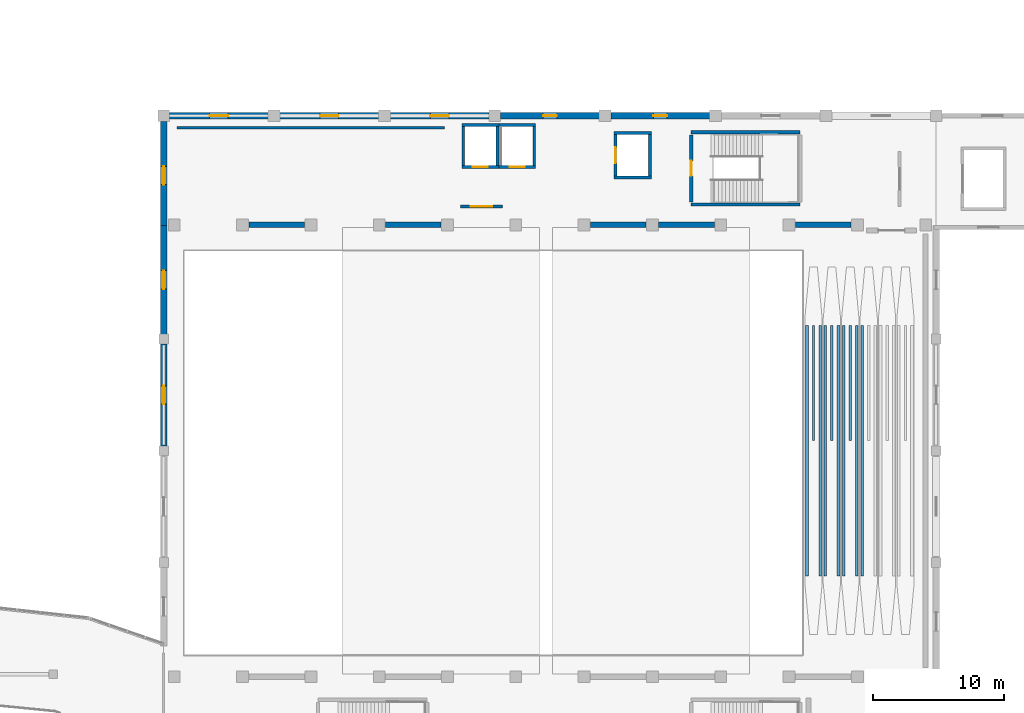
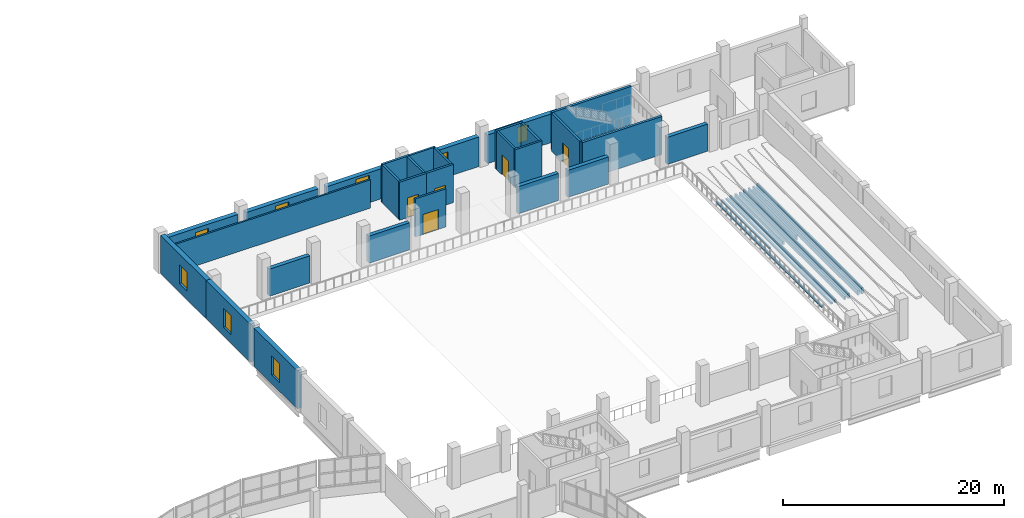
# One storey, part 38 of 50: 39 walls, 8 windows, 5 doors, 13 openings.
"""IFC4 building model written with IfcOpenShell, lengths in metres."""

from ifc_helpers import new_model, si_unit, direction, frame, frame_2d, origin, place, context, subcontext, project, spatial, rectangle, extrude, material, layer, layer_set, type_object, element, fill, save


model = new_model("IFC4")

# Units and contexts
model_context = context("Model", 3, precision=1e-05, world=origin(), true_north=direction((0.0, 1.0)))
body_context = subcontext(model_context, "Body", "Model", "MODEL_VIEW")
ifc_project = project(units=[si_unit("LENGTHUNIT", "METRE"), si_unit("AREAUNIT", "SQUARE_METRE"), si_unit("VOLUMEUNIT", "CUBIC_METRE"), si_unit("PLANEANGLEUNIT", "RADIAN"), si_unit("MASSUNIT", "GRAM", prefix="KILO")], contexts=[model_context])

# Site, building, storey
site_placement = place(None, origin())
site = spatial("IfcSite", under=ifc_project, at=site_placement, CompositionType="ELEMENT")
building_placement = place(site_placement, origin())
building = spatial("IfcBuilding", under=site, at=building_placement, Name="Solvento Point Concert Hall", CompositionType="ELEMENT")
storey_placement = place(building_placement, frame((0.0, 0.0, 15.0)))
storey = spatial("IfcBuildingStorey", under=building, at=storey_placement, Name="L03", CompositionType="ELEMENT", Elevation=15.0)

# Wall
ifc_material_1 = material(Name="Acoustic Double-Stud Gypsum Partition")
ifc_layer_1 = layer(ifc_material_1, 0.179931640625)
ifc_layer_set_1 = layer_set([ifc_layer_1], Name="Acoustic Double-Stud Gypsum Partition")
wall_type_1 = type_object("IfcWallType", Name="AcousticPartition_180", PredefinedType="PARTITIONING", material=ifc_layer_set_1)
wall_1_placement = place(storey_placement, frame((75.419921875, 92.580078125, 0.0), z_axis=(0.0, 0.0, 1.0), x_axis=(1.0, 0.0, 0.0)))
element("IfcWall", 1, at=wall_1_placement, inside=storey, type_object=wall_type_1, Name="Interior acoustic partition PW-63 L03", PredefinedType="PARTITIONING", context=body_context, shape_type="SweptSolid", body=[
    extrude(rectangle(XDim=20.360107421875, YDim=0.179931640625, at=frame_2d((10.18017578125, 0.0))), origin(), (0.0, 0.0, 1.0), 3.1298828125),
])

# Wall, opening, door
ifc_material_2 = material(Name="Acoustic Double-Stud Gypsum Partition")
ifc_layer_2 = layer(ifc_material_2, 0.2080078125)
ifc_layer_set_2 = layer_set([ifc_layer_2], Name="Acoustic Double-Stud Gypsum Partition")
wall_type_2 = type_object("IfcWallType", Name="AcousticPartition_208", PredefinedType="PARTITIONING", material=ifc_layer_set_2)
wall_2_placement = place(storey_placement, frame((97.0, 86.60009765625, 0.0), z_axis=(0.0, 0.0, 1.0), x_axis=(1.0, 0.0, 0.0)))
wall_2 = element("IfcWall", 2, at=wall_2_placement, inside=storey, type_object=wall_type_2, Name="Lift lobby partition LP-01 L03", PredefinedType="PARTITIONING", context=body_context, shape_type="SweptSolid", body=[
    extrude(rectangle(XDim=3.199951171875, YDim=0.2080078125, at=frame_2d((1.60009765625, 0.0))), origin(), (0.0, 0.0, 1.0), 4.2099609375),
])
opening_1_placement = place(wall_2_placement, frame((0.77490234375, 0.0, 0.0)))
opening_1 = element("IfcOpeningElement", 3, at=opening_1_placement, cuts=wall_2, Name="Opening D-FL1", PredefinedType="OPENING", context=body_context, shape_type="SweptSolid", body=[
    extrude(rectangle(XDim=1.64990234375, YDim=2.199951171875, at=frame_2d((0.824951171875, 1.10009765625))), frame((0.0, 0.114013671875, 0.0), z_axis=(0.0, -1.0, 0.0), x_axis=(1.0, 0.0, 0.0)), (0.0, 0.0, 1.0), 0.22802734375),
])
ifc_material_3 = material(Name="Hollow Metal Acoustic Fire Door")
door_type_1 = type_object("IfcDoorType", Name="FireLobbyDoor_1600", OperationType="DOUBLE_DOOR_SINGLE_SWING", PredefinedType="DOOR", material=ifc_material_3)
door_1_placement = place(opening_1_placement, origin())
door_1 = element("IfcDoor", 4, at=door_1_placement, inside=storey, type_object=door_type_1, Name="Lift lobby door LP-01 L03", OperationType="DOUBLE_DOOR_SINGLE_SWING", OverallHeight=2.199951171875, OverallWidth=1.64990234375, PredefinedType="DOOR", context=body_context, shape_type="SweptSolid", body=[
    extrude(rectangle(XDim=1.64990234375, YDim=2.199951171875, at=frame_2d((0.824951171875, 1.10009765625))), frame((0.0, 0.02490234375, 0.0), z_axis=(0.0, -1.0, 0.0), x_axis=(1.0, 0.0, 0.0)), (0.0, 0.0, 1.0), 0.050048828125),
])
fill(opening_1, door_1)

# Walls
ifc_material_4 = material(Name="Concrete C40/50", Category="concrete")
ifc_layer_3 = layer(ifc_material_4, 0.300048828125)
ifc_layer_set_3 = layer_set([ifc_layer_3], Name="Concrete C40/50")
wall_type_3 = type_object("IfcWallType", Name="CoreShearWall_300", PredefinedType="SHEAR", material=ifc_layer_set_3)
for number, where, z_axis, x_axis, name in (
    (5, (122.85009765625, 86.75, 0.0), (0.0, 0.0, 1.0), (-1.0, 0.0, 0.0), "Stair core shear wall W-SH1 ST-03 L03"),
    (6, (114.550048828125, 92.25, 0.0), (0.0, 0.0, 1.0), (1.0, 0.0, 0.0), "Stair core shear wall W-SH1 ST-03 L03"),
):
    element("IfcWall", number, at=place(storey_placement, frame(where, z_axis=z_axis, x_axis=x_axis)), inside=storey, type_object=wall_type_3, Name=name, PredefinedType="SHEAR", context=body_context, shape_type="SweptSolid", body=[
        extrude(rectangle(XDim=8.300048828125, YDim=0.25, at=frame_2d((4.14990234375, 0.0))), origin(), (0.0, 0.0, 1.0), 4.2099609375),
    ])

# Wall, opening, door
wall_3_placement = place(storey_placement, frame((114.550048828125, 86.949951171875, 0.0), z_axis=(0.0, 0.0, 1.0), x_axis=(0.0, 1.0, 0.0)))
wall_3 = element("IfcWall", 7, at=wall_3_placement, inside=storey, type_object=wall_type_3, Name="Stair core shear wall W-SH1 ST-03 L03", PredefinedType="SHEAR", context=body_context, shape_type="SweptSolid", body=[
    extrude(rectangle(XDim=5.10009765625, YDim=0.25, at=frame_2d((2.550048828125, 0.0))), origin(), (0.0, 0.0, 1.0), 4.2099609375),
])
opening_2_placement = place(wall_3_placement, frame((1.97509765625, 0.0, 0.0)))
opening_2 = element("IfcOpeningElement", 8, at=opening_2_placement, cuts=wall_3, Name="Opening D-ST1", PredefinedType="OPENING", context=body_context, shape_type="SweptSolid", body=[
    extrude(rectangle(XDim=1.14990234375, YDim=2.179931640625, at=frame_2d((0.574951171875, 1.08984375))), frame((0.0, 0.135009765625, 0.0), z_axis=(0.0, -1.0, 0.0), x_axis=(1.0, 0.0, 0.0)), (0.0, 0.0, 1.0), 0.27001953125),
])
ifc_material_5 = material(Name="Hollow Metal Acoustic Fire Door")
door_type_2 = type_object("IfcDoorType", Name="StairFireDoor_1150", OperationType="NOTDEFINED", PredefinedType="DOOR", material=ifc_material_5)
door_2_placement = place(opening_2_placement, origin())
door_2 = element("IfcDoor", 9, at=door_2_placement, inside=storey, type_object=door_type_2, Name="Protected exit stair door ST-03 L03", OperationType="SINGLE_SWING_LEFT", OverallHeight=2.179931640625, OverallWidth=1.14990234375, PredefinedType="DOOR", context=body_context, shape_type="SweptSolid", body=[
    extrude(rectangle(XDim=1.14990234375, YDim=2.179931640625, at=frame_2d((0.574951171875, 1.08984375))), frame((0.0, 0.02490234375, 0.0), z_axis=(0.0, -1.0, 0.0), x_axis=(1.0, 0.0, 0.0)), (0.0, 0.0, 1.0), 0.050048828125),
])
fill(opening_2, door_2)

# Walls
for number, where, z_axis, x_axis, name in (
    (10, (108.68994140625, 88.800048828125, 0.0), (0.0, 0.0, 1.0), (1.0, 0.0, 0.0), "Elevator shaft shear wall W-SH1 LF-02 L03"),
    (11, (108.68994140625, 92.199951171875, 0.0), (0.0, 0.0, 1.0), (1.0, 0.0, 0.0), "Elevator shaft shear wall W-SH1 LF-02 L03"),
):
    element("IfcWall", number, at=place(storey_placement, frame(where, z_axis=z_axis, x_axis=x_axis)), inside=storey, type_object=wall_type_3, Name=name, PredefinedType="SHEAR", context=body_context, shape_type="SweptSolid", body=[
        extrude(rectangle(XDim=2.820068359375, YDim=0.219970703125, at=frame_2d((1.41015625, 0.0))), origin(), (0.0, 0.0, 1.0), 4.2099609375),
    ])

# Wall, opening, door
wall_4_placement = place(storey_placement, frame((108.800048828125, 88.909912109375, 0.0), z_axis=(0.0, 0.0, 1.0), x_axis=(0.0, 1.0, 0.0)))
wall_4 = element("IfcWall", 12, at=wall_4_placement, inside=storey, type_object=wall_type_3, Name="Elevator shaft shear wall W-SH1 LF-02 L03", PredefinedType="SHEAR", context=body_context, shape_type="SweptSolid", body=[
    extrude(rectangle(XDim=3.18017578125, YDim=0.219970703125, at=frame_2d((1.590087890625, 0.0))), origin(), (0.0, 0.0, 1.0), 4.2099609375),
])
opening_3_placement = place(wall_4_placement, frame((0.989990234375, 0.0, 0.0)))
opening_3 = element("IfcOpeningElement", 13, at=opening_3_placement, cuts=wall_4, Name="Opening LD-01", PredefinedType="OPENING", context=body_context, shape_type="SweptSolid", body=[
    extrude(rectangle(XDim=1.199951171875, YDim=2.25, at=frame_2d((0.60009765625, 1.125))), frame((0.0, 0.119873046875, 0.0), z_axis=(0.0, -1.0, 0.0), x_axis=(1.0, 0.0, 0.0)), (0.0, 0.0, 1.0), 0.239990234375),
])
ifc_material_6 = material(Name="Hollow Metal Acoustic Fire Door")
door_type_3 = type_object("IfcDoorType", Name="LiftLandingDoor_FF", OperationType="SLIDING_TO_LEFT", PredefinedType="DOOR", material=ifc_material_6)
door_3_placement = place(opening_3_placement, origin())
door_3 = element("IfcDoor", 14, at=door_3_placement, inside=storey, type_object=door_type_3, Name="Elevator landing door LF-02 L03", OperationType="SLIDING_TO_LEFT", OverallHeight=2.25, OverallWidth=1.199951171875, PredefinedType="DOOR", context=body_context, shape_type="SweptSolid", body=[
    extrude(rectangle(XDim=1.199951171875, YDim=2.25, at=frame_2d((0.60009765625, 1.125))), frame((0.0, 0.02490234375, 0.0), z_axis=(0.0, -1.0, 0.0), x_axis=(1.0, 0.0, 0.0)), (0.0, 0.0, 1.0), 0.050048828125),
])
fill(opening_3, door_3)

# Wall
wall_5_placement = place(storey_placement, frame((111.39990234375, 88.909912109375, 0.0), z_axis=(0.0, 0.0, 1.0), x_axis=(0.0, 1.0, 0.0)))
element("IfcWall", 15, at=wall_5_placement, inside=storey, type_object=wall_type_3, Name="Elevator shaft shear wall W-SH1 LF-02 L03", PredefinedType="SHEAR", context=body_context, shape_type="SweptSolid", body=[
    extrude(rectangle(XDim=3.18017578125, YDim=0.219970703125, at=frame_2d((1.590087890625, 0.0))), origin(), (0.0, 0.0, 1.0), 4.2099609375),
])

# Wall, opening, door
wall_6_placement = place(storey_placement, frame((97.090087890625, 89.60009765625, 0.0), z_axis=(0.0, 0.0, 1.0), x_axis=(1.0, 0.0, 0.0)))
wall_6 = element("IfcWall", 16, at=wall_6_placement, inside=storey, type_object=wall_type_3, Name="Elevator shaft shear wall W-SH1 LP-01 L03", PredefinedType="SHEAR", context=body_context, shape_type="SweptSolid", body=[
    extrude(rectangle(XDim=2.81982421875, YDim=0.219970703125, at=frame_2d((1.409912109375, 0.0))), origin(), (0.0, 0.0, 1.0), 4.2099609375),
])
opening_4_placement = place(wall_6_placement, frame((0.8349609375, 0.0, 0.0)))
opening_4 = element("IfcOpeningElement", 17, at=opening_4_placement, cuts=wall_6, Name="Opening LD-02", PredefinedType="OPENING", context=body_context, shape_type="SweptSolid", body=[
    extrude(rectangle(XDim=1.14990234375, YDim=2.199951171875, at=frame_2d((0.574951171875, 1.10009765625))), frame((0.0, 0.119873046875, 0.0), z_axis=(0.0, -1.0, 0.0), x_axis=(1.0, 0.0, 0.0)), (0.0, 0.0, 1.0), 0.239990234375),
])
ifc_material_7 = material(Name="Hollow Metal Acoustic Fire Door")
door_type_4 = type_object("IfcDoorType", Name="LiftLandingDoor_Pass", OperationType="SLIDING_TO_LEFT", PredefinedType="DOOR", material=ifc_material_7)
door_4_placement = place(opening_4_placement, origin())
door_4 = element("IfcDoor", 18, at=door_4_placement, inside=storey, type_object=door_type_4, Name="Elevator landing door LP-01 L03", OperationType="SLIDING_TO_LEFT", OverallHeight=2.199951171875, OverallWidth=1.14990234375, PredefinedType="DOOR", context=body_context, shape_type="SweptSolid", body=[
    extrude(rectangle(XDim=1.14990234375, YDim=2.199951171875, at=frame_2d((0.574951171875, 1.10009765625))), frame((0.0, 0.02490234375, 0.0), z_axis=(0.0, -1.0, 0.0), x_axis=(1.0, 0.0, 0.0)), (0.0, 0.0, 1.0), 0.050048828125),
])
fill(opening_4, door_4)

# Walls
wall_7_placement = place(storey_placement, frame((97.090087890625, 92.800048828125, 0.0), z_axis=(0.0, 0.0, 1.0), x_axis=(1.0, 0.0, 0.0)))
element("IfcWall", 19, at=wall_7_placement, inside=storey, type_object=wall_type_3, Name="Elevator shaft shear wall W-SH1 LP-01 L03", PredefinedType="SHEAR", context=body_context, shape_type="SweptSolid", body=[
    extrude(rectangle(XDim=2.81982421875, YDim=0.219970703125, at=frame_2d((1.409912109375, 0.0))), origin(), (0.0, 0.0, 1.0), 4.2099609375),
])
for number, where, z_axis, x_axis, name in (
    (20, (97.199951171875, 89.7099609375, 0.0), (0.0, 0.0, 1.0), (0.0, 1.0, 0.0), "Elevator shaft shear wall W-SH1 LP-01 L03"),
    (21, (99.800048828125, 89.7099609375, 0.0), (0.0, 0.0, 1.0), (0.0, 1.0, 0.0), "Elevator shaft shear wall W-SH1 LP-01 L03"),
):
    element("IfcWall", number, at=place(storey_placement, frame(where, z_axis=z_axis, x_axis=x_axis)), inside=storey, type_object=wall_type_3, Name=name, PredefinedType="SHEAR", context=body_context, shape_type="SweptSolid", body=[
        extrude(rectangle(XDim=2.97998046875, YDim=0.219970703125, at=frame_2d((1.489990234375, 0.0))), origin(), (0.0, 0.0, 1.0), 4.2099609375),
    ])

# Wall, opening, door
wall_8_placement = place(storey_placement, frame((99.909912109375, 89.60009765625, 0.0), z_axis=(0.0, 0.0, 1.0), x_axis=(1.0, 0.0, 0.0)))
wall_8 = element("IfcWall", 22, at=wall_8_placement, inside=storey, type_object=wall_type_3, Name="Elevator shaft shear wall W-SH1 LP-02 L03", PredefinedType="SHEAR", context=body_context, shape_type="SweptSolid", body=[
    extrude(rectangle(XDim=2.800048828125, YDim=0.219970703125, at=frame_2d((1.39990234375, 0.0))), origin(), (0.0, 0.0, 1.0), 4.2099609375),
])
opening_5_placement = place(wall_8_placement, frame((0.81494140625, 0.0, 0.0)))
opening_5 = element("IfcOpeningElement", 23, at=opening_5_placement, cuts=wall_8, Name="Opening LD-02", PredefinedType="OPENING", context=body_context, shape_type="SweptSolid", body=[
    extrude(rectangle(XDim=1.14990234375, YDim=2.199951171875, at=frame_2d((0.574951171875, 1.10009765625))), frame((0.0, 0.119873046875, 0.0), z_axis=(0.0, -1.0, 0.0), x_axis=(1.0, 0.0, 0.0)), (0.0, 0.0, 1.0), 0.239990234375),
])
door_5_placement = place(opening_5_placement, origin())
door_5 = element("IfcDoor", 24, at=door_5_placement, inside=storey, type_object=door_type_4, Name="Elevator landing door LP-02 L03", OperationType="SLIDING_TO_LEFT", OverallHeight=2.199951171875, OverallWidth=1.14990234375, PredefinedType="DOOR", context=body_context, shape_type="SweptSolid", body=[
    extrude(rectangle(XDim=1.14990234375, YDim=2.199951171875, at=frame_2d((0.574951171875, 1.10009765625))), frame((0.0, 0.02490234375, 0.0), z_axis=(0.0, -1.0, 0.0), x_axis=(1.0, 0.0, 0.0)), (0.0, 0.0, 1.0), 0.050048828125),
])
fill(opening_5, door_5)

# Walls
wall_9_placement = place(storey_placement, frame((99.909912109375, 92.800048828125, 0.0), z_axis=(0.0, 0.0, 1.0), x_axis=(1.0, 0.0, 0.0)))
element("IfcWall", 25, at=wall_9_placement, inside=storey, type_object=wall_type_3, Name="Elevator shaft shear wall W-SH1 LP-02 L03", PredefinedType="SHEAR", context=body_context, shape_type="SweptSolid", body=[
    extrude(rectangle(XDim=2.800048828125, YDim=0.219970703125, at=frame_2d((1.39990234375, 0.0))), origin(), (0.0, 0.0, 1.0), 4.2099609375),
])
wall_10_placement = place(storey_placement, frame((102.60009765625, 89.7099609375, 0.0), z_axis=(0.0, 0.0, 1.0), x_axis=(0.0, 1.0, 0.0)))
element("IfcWall", 26, at=wall_10_placement, inside=storey, type_object=wall_type_3, Name="Elevator shaft shear wall W-SH1 LP-02 L03", PredefinedType="SHEAR", context=body_context, shape_type="SweptSolid", body=[
    extrude(rectangle(XDim=2.97998046875, YDim=0.219970703125, at=frame_2d((1.489990234375, 0.0))), origin(), (0.0, 0.0, 1.0), 4.2099609375),
])
ifc_material_8 = material(Name="Concrete C40/50", Category="concrete")
ifc_layer_4 = layer(ifc_material_8, 0.39990234375)
ifc_layer_set_4 = layer_set([ifc_layer_4], Name="Concrete C40/50")
wall_type_4 = type_object("IfcWallType", Name="DrumShearWall_400", PredefinedType="SHEAR", material=ifc_layer_set_4)
wall_11_placement = place(storey_placement, frame((80.8798828125, 85.199951171875, 0.0), z_axis=(0.0, 0.0, 1.0), x_axis=(1.0, 0.0, 0.0)))
element("IfcWall", 27, at=wall_11_placement, inside=storey, type_object=wall_type_4, Name="Symphonic acoustic drum shear wall W-DR1 L03", PredefinedType="SHEAR", context=body_context, shape_type="SweptSolid", body=[
    extrude(rectangle(XDim=4.240234375, YDim=0.39990234375, at=frame_2d((2.1201171875, 0.0))), origin(), (0.0, 0.0, 1.0), 3.0),
])
wall_12_placement = place(storey_placement, frame((91.280029296875, 85.199951171875, 0.0), z_axis=(0.0, 0.0, 1.0), x_axis=(1.0, 0.0, 0.0)))
element("IfcWall", 28, at=wall_12_placement, inside=storey, type_object=wall_type_4, Name="Symphonic acoustic drum shear wall W-DR1 L03", PredefinedType="SHEAR", context=body_context, shape_type="SweptSolid", body=[
    extrude(rectangle(XDim=4.239990234375, YDim=0.39990234375, at=frame_2d((2.1201171875, 0.0))), origin(), (0.0, 0.0, 1.0), 3.0),
])
wall_13_placement = place(storey_placement, frame((106.8798828125, 85.199951171875, 0.0), z_axis=(0.0, 0.0, 1.0), x_axis=(1.0, 0.0, 0.0)))
element("IfcWall", 29, at=wall_13_placement, inside=storey, type_object=wall_type_4, Name="Symphonic acoustic drum shear wall W-DR1 L03", PredefinedType="SHEAR", context=body_context, shape_type="SweptSolid", body=[
    extrude(rectangle(XDim=4.240234375, YDim=0.39990234375, at=frame_2d((2.1201171875, 0.0))), origin(), (0.0, 0.0, 1.0), 3.0),
])
for number, where, z_axis, x_axis, name in (
    (30, (112.080078125, 85.199951171875, 0.0), (0.0, 0.0, 1.0), (1.0, 0.0, 0.0), "Symphonic acoustic drum shear wall W-DR1 L03"),
    (31, (122.47998046875, 85.199951171875, 0.0), (0.0, 0.0, 1.0), (1.0, 0.0, 0.0), "Symphonic acoustic drum shear wall W-DR1 L03"),
):
    element("IfcWall", number, at=place(storey_placement, frame(where, z_axis=z_axis, x_axis=x_axis)), inside=storey, type_object=wall_type_4, Name=name, PredefinedType="SHEAR", context=body_context, shape_type="SweptSolid", body=[
        extrude(rectangle(XDim=4.239990234375, YDim=0.39990234375, at=frame_2d((2.1201171875, 0.0))), origin(), (0.0, 0.0, 1.0), 3.0),
    ])

# Wall, opening, window
ifc_material_9 = material(Name="Concrete C40/50", Category="concrete")
ifc_layer_5 = layer(ifc_material_9, 0.47998046875)
ifc_layer_set_5 = layer_set([ifc_layer_5], Name="Concrete C40/50")
wall_type_5 = type_object("IfcWallType", Name="ExtWall_V1_Drum_480", PredefinedType="SOLIDWALL", material=ifc_layer_set_5)
wall_14_placement = place(storey_placement, frame((74.39990234375, 68.35498046875, 0.0), z_axis=(0.0, 0.0, 1.0), x_axis=(0.0, 1.0, 0.0)))
wall_14 = element("IfcWall", 32, at=wall_14_placement, inside=storey, type_object=wall_type_5, Name="Exterior architectural concrete wall EW-46 L03", PredefinedType="SOLIDWALL", context=body_context, shape_type="SweptSolid", body=[
    extrude(rectangle(XDim=7.7900390625, YDim=0.47998046875, at=frame_2d((3.89501953125, 0.0))), origin(), (0.0, 0.0, 1.0), 4.2099609375),
])
opening_6_placement = place(wall_14_placement, frame((3.195068359375, 0.0, 0.949951171875)))
opening_6 = element("IfcOpeningElement", 33, at=opening_6_placement, cuts=wall_14, Name="Opening WN-52", PredefinedType="OPENING", context=body_context, shape_type="SweptSolid", body=[
    extrude(rectangle(XDim=1.39990234375, YDim=2.10009765625, at=frame_2d((0.699951171875, 1.050048828125))), frame((0.0, 0.25, 0.0), z_axis=(0.0, -1.0, 0.0), x_axis=(1.0, 0.0, 0.0)), (0.0, 0.0, 1.0), 0.5),
])
ifc_material_10 = material(Name="Hurricane Laminated Low-E Glass", Category="glass")
window_type_1 = type_object("IfcWindowType", Name="Win_V1_VineyardSlot_L03", PartitioningType="SINGLE_PANEL", PredefinedType="WINDOW", material=ifc_material_10)
window_1_placement = place(opening_6_placement, origin())
window_1 = element("IfcWindow", 34, at=window_1_placement, inside=storey, type_object=window_type_1, Name="Impact acoustic window WN-52", OverallHeight=2.10009765625, OverallWidth=1.39990234375, PartitioningType="SINGLE_PANEL", PredefinedType="WINDOW", context=body_context, shape_type="SweptSolid", body=[
    extrude(rectangle(XDim=1.39990234375, YDim=2.10009765625, at=frame_2d((0.699951171875, 1.050048828125))), frame((0.0, 0.030029296875, 0.0), z_axis=(0.0, -1.0, 0.0), x_axis=(1.0, 0.0, 0.0)), (0.0, 0.0, 1.0), 0.06005859375),
])
fill(opening_6, window_1)

wall_15_placement = place(storey_placement, frame((74.39990234375, 76.85498046875, 0.0), z_axis=(0.0, 0.0, 1.0), x_axis=(0.0, 1.0, 0.0)))
wall_15 = element("IfcWall", 35, at=wall_15_placement, inside=storey, type_object=wall_type_5, Name="Exterior architectural concrete wall EW-46 L03", PredefinedType="SOLIDWALL", context=body_context, shape_type="SweptSolid", body=[
    extrude(rectangle(XDim=8.304931640625, YDim=0.47998046875, at=frame_2d((4.15234375, 0.0))), origin(), (0.0, 0.0, 1.0), 4.2099609375),
])
opening_7_placement = place(wall_15_placement, frame((3.452392578125, 0.0, 0.949951171875)))
opening_7 = element("IfcOpeningElement", 36, at=opening_7_placement, cuts=wall_15, Name="Opening WN-52", PredefinedType="OPENING", context=body_context, shape_type="SweptSolid", body=[
    extrude(rectangle(XDim=1.39990234375, YDim=2.10009765625, at=frame_2d((0.699951171875, 1.050048828125))), frame((0.0, 0.25, 0.0), z_axis=(0.0, -1.0, 0.0), x_axis=(1.0, 0.0, 0.0)), (0.0, 0.0, 1.0), 0.5),
])
window_2_placement = place(opening_7_placement, origin())
window_2 = element("IfcWindow", 37, at=window_2_placement, inside=storey, type_object=window_type_1, Name="Impact acoustic window WN-52", OverallHeight=2.10009765625, OverallWidth=1.39990234375, PartitioningType="SINGLE_PANEL", PredefinedType="WINDOW", context=body_context, shape_type="SweptSolid", body=[
    extrude(rectangle(XDim=1.39990234375, YDim=2.10009765625, at=frame_2d((0.699951171875, 1.050048828125))), frame((0.0, 0.030029296875, 0.0), z_axis=(0.0, -1.0, 0.0), x_axis=(1.0, 0.0, 0.0)), (0.0, 0.0, 1.0), 0.06005859375),
])
fill(opening_7, window_2)

wall_16_placement = place(storey_placement, frame((74.39990234375, 84.840087890625, 0.0), z_axis=(0.0, 0.0, 1.0), x_axis=(0.0, 1.0, 0.0)))
wall_16 = element("IfcWall", 38, at=wall_16_placement, inside=storey, type_object=wall_type_5, Name="Exterior architectural concrete wall EW-46 L03", PredefinedType="SOLIDWALL", context=body_context, shape_type="SweptSolid", body=[
    extrude(rectangle(XDim=8.22998046875, YDim=0.47998046875, at=frame_2d((4.114990234375, 0.0))), origin(), (0.0, 0.0, 1.0), 4.2099609375),
])
opening_8_placement = place(wall_16_placement, frame((3.4150390625, 0.0, 0.949951171875)))
opening_8 = element("IfcOpeningElement", 39, at=opening_8_placement, cuts=wall_16, Name="Opening WN-52", PredefinedType="OPENING", context=body_context, shape_type="SweptSolid", body=[
    extrude(rectangle(XDim=1.39990234375, YDim=2.10009765625, at=frame_2d((0.699951171875, 1.050048828125))), frame((0.0, 0.25, 0.0), z_axis=(0.0, -1.0, 0.0), x_axis=(1.0, 0.0, 0.0)), (0.0, 0.0, 1.0), 0.5),
])
window_3_placement = place(opening_8_placement, origin())
window_3 = element("IfcWindow", 40, at=window_3_placement, inside=storey, type_object=window_type_1, Name="Impact acoustic window WN-52", OverallHeight=2.10009765625, OverallWidth=1.39990234375, PartitioningType="SINGLE_PANEL", PredefinedType="WINDOW", context=body_context, shape_type="SweptSolid", body=[
    extrude(rectangle(XDim=1.39990234375, YDim=2.10009765625, at=frame_2d((0.699951171875, 1.050048828125))), frame((0.0, 0.030029296875, 0.0), z_axis=(0.0, -1.0, 0.0), x_axis=(1.0, 0.0, 0.0)), (0.0, 0.0, 1.0), 0.06005859375),
])
fill(opening_8, window_3)

wall_17_placement = place(storey_placement, frame((74.830078125, 93.5, 0.0), z_axis=(0.0, 0.0, 1.0), x_axis=(1.0, 0.0, 0.0)))
wall_17 = element("IfcWall", 41, at=wall_17_placement, inside=storey, type_object=wall_type_5, Name="Exterior architectural concrete wall EW-46 L03", PredefinedType="SOLIDWALL", context=body_context, shape_type="SweptSolid", body=[
    extrude(rectangle(XDim=7.5400390625, YDim=0.47998046875, at=frame_2d((3.77001953125, 0.0))), origin(), (0.0, 0.0, 1.0), 3.531005859375),
])
opening_9_placement = place(wall_17_placement, frame((3.070068359375, 0.0, 0.949951171875)))
opening_9 = element("IfcOpeningElement", 42, at=opening_9_placement, cuts=wall_17, Name="Opening WN-52", PredefinedType="OPENING", context=body_context, shape_type="SweptSolid", body=[
    extrude(rectangle(XDim=1.39990234375, YDim=2.10009765625, at=frame_2d((0.699951171875, 1.050048828125))), frame((0.0, 0.25, 0.0), z_axis=(0.0, -1.0, 0.0), x_axis=(1.0, 0.0, 0.0)), (0.0, 0.0, 1.0), 0.5),
])
window_4_placement = place(opening_9_placement, origin())
window_4 = element("IfcWindow", 43, at=window_4_placement, inside=storey, type_object=window_type_1, Name="Impact acoustic window WN-52", OverallHeight=2.10009765625, OverallWidth=1.39990234375, PartitioningType="SINGLE_PANEL", PredefinedType="WINDOW", context=body_context, shape_type="SweptSolid", body=[
    extrude(rectangle(XDim=1.39990234375, YDim=2.10009765625, at=frame_2d((0.699951171875, 1.050048828125))), frame((0.0, 0.030029296875, 0.0), z_axis=(0.0, -1.0, 0.0), x_axis=(1.0, 0.0, 0.0)), (0.0, 0.0, 1.0), 0.06005859375),
])
fill(opening_9, window_4)

wall_18_placement = place(storey_placement, frame((83.22998046875, 93.5, 0.0), z_axis=(0.0, 0.0, 1.0), x_axis=(1.0, 0.0, 0.0)))
wall_18 = element("IfcWall", 44, at=wall_18_placement, inside=storey, type_object=wall_type_5, Name="Exterior architectural concrete wall EW-46 L03", PredefinedType="SOLIDWALL", context=body_context, shape_type="SweptSolid", body=[
    extrude(rectangle(XDim=7.5400390625, YDim=0.47998046875, at=frame_2d((3.77001953125, 0.0))), origin(), (0.0, 0.0, 1.0), 3.424072265625),
])
opening_10_placement = place(wall_18_placement, frame((3.070068359375, 0.0, 0.949951171875)))
opening_10 = element("IfcOpeningElement", 45, at=opening_10_placement, cuts=wall_18, Name="Opening WN-52", PredefinedType="OPENING", context=body_context, shape_type="SweptSolid", body=[
    extrude(rectangle(XDim=1.39990234375, YDim=2.10009765625, at=frame_2d((0.699951171875, 1.050048828125))), frame((0.0, 0.25, 0.0), z_axis=(0.0, -1.0, 0.0), x_axis=(1.0, 0.0, 0.0)), (0.0, 0.0, 1.0), 0.5),
])
window_5_placement = place(opening_10_placement, origin())
window_5 = element("IfcWindow", 46, at=window_5_placement, inside=storey, type_object=window_type_1, Name="Impact acoustic window WN-52", OverallHeight=2.10009765625, OverallWidth=1.39990234375, PartitioningType="SINGLE_PANEL", PredefinedType="WINDOW", context=body_context, shape_type="SweptSolid", body=[
    extrude(rectangle(XDim=1.39990234375, YDim=2.10009765625, at=frame_2d((0.699951171875, 1.050048828125))), frame((0.0, 0.030029296875, 0.0), z_axis=(0.0, -1.0, 0.0), x_axis=(1.0, 0.0, 0.0)), (0.0, 0.0, 1.0), 0.06005859375),
])
fill(opening_10, window_5)

wall_19_placement = place(storey_placement, frame((91.6298828125, 93.5, 0.0), z_axis=(0.0, 0.0, 1.0), x_axis=(1.0, 0.0, 0.0)))
wall_19 = element("IfcWall", 47, at=wall_19_placement, inside=storey, type_object=wall_type_5, Name="Exterior architectural concrete wall EW-46 L03", PredefinedType="SOLIDWALL", context=body_context, shape_type="SweptSolid", body=[
    extrude(rectangle(XDim=7.5400390625, YDim=0.47998046875, at=frame_2d((3.77001953125, 0.0))), origin(), (0.0, 0.0, 1.0), 3.3349609375),
])
opening_11_placement = place(wall_19_placement, frame((3.070068359375, 0.0, 0.949951171875)))
opening_11 = element("IfcOpeningElement", 48, at=opening_11_placement, cuts=wall_19, Name="Opening WN-52", PredefinedType="OPENING", context=body_context, shape_type="SweptSolid", body=[
    extrude(rectangle(XDim=1.39990234375, YDim=2.10009765625, at=frame_2d((0.699951171875, 1.050048828125))), frame((0.0, 0.25, 0.0), z_axis=(0.0, -1.0, 0.0), x_axis=(1.0, 0.0, 0.0)), (0.0, 0.0, 1.0), 0.5),
])
window_6_placement = place(opening_11_placement, origin())
window_6 = element("IfcWindow", 49, at=window_6_placement, inside=storey, type_object=window_type_1, Name="Impact acoustic window WN-52", OverallHeight=2.10009765625, OverallWidth=1.39990234375, PartitioningType="SINGLE_PANEL", PredefinedType="WINDOW", context=body_context, shape_type="SweptSolid", body=[
    extrude(rectangle(XDim=1.39990234375, YDim=2.10009765625, at=frame_2d((0.699951171875, 1.050048828125))), frame((0.0, 0.030029296875, 0.0), z_axis=(0.0, -1.0, 0.0), x_axis=(1.0, 0.0, 0.0)), (0.0, 0.0, 1.0), 0.06005859375),
])
fill(opening_11, window_6)

wall_20_placement = place(storey_placement, frame((100.030029296875, 93.5, 0.0), z_axis=(0.0, 0.0, 1.0), x_axis=(1.0, 0.0, 0.0)))
wall_20 = element("IfcWall", 50, at=wall_20_placement, inside=storey, type_object=wall_type_5, Name="Exterior architectural concrete wall EW-46 L03", PredefinedType="SOLIDWALL", context=body_context, shape_type="SweptSolid", body=[
    extrude(rectangle(XDim=7.5400390625, YDim=0.47998046875, at=frame_2d((3.77001953125, 0.0))), origin(), (0.0, 0.0, 1.0), 3.26708984375),
])
opening_12_placement = place(wall_20_placement, frame((3.2451171875, 0.0, 0.949951171875)))
opening_12 = element("IfcOpeningElement", 51, at=opening_12_placement, cuts=wall_20, Name="Opening WN-89", PredefinedType="OPENING", context=body_context, shape_type="SweptSolid", body=[
    extrude(rectangle(XDim=1.050048828125, YDim=1.800048828125, at=frame_2d((0.52490234375, 0.89990234375))), frame((0.0, 0.25, 0.0), z_axis=(0.0, -1.0, 0.0), x_axis=(1.0, 0.0, 0.0)), (0.0, 0.0, 1.0), 0.5),
])
ifc_material_11 = material(Name="Hurricane Laminated Low-E Glass", Category="glass")
window_type_2 = type_object("IfcWindowType", Name="Win_NarrowPier_1050", PartitioningType="SINGLE_PANEL", PredefinedType="WINDOW", material=ifc_material_11)
window_7_placement = place(opening_12_placement, origin())
window_7 = element("IfcWindow", 52, at=window_7_placement, inside=storey, type_object=window_type_2, Name="Impact acoustic window WN-89", OverallHeight=1.800048828125, OverallWidth=1.050048828125, PartitioningType="SINGLE_PANEL", PredefinedType="WINDOW", context=body_context, shape_type="SweptSolid", body=[
    extrude(rectangle(XDim=1.050048828125, YDim=1.800048828125, at=frame_2d((0.52490234375, 0.89990234375))), frame((0.0, 0.030029296875, 0.0), z_axis=(0.0, -1.0, 0.0), x_axis=(1.0, 0.0, 0.0)), (0.0, 0.0, 1.0), 0.06005859375),
])
fill(opening_12, window_7)

wall_21_placement = place(storey_placement, frame((108.429931640625, 93.5, 0.0), z_axis=(0.0, 0.0, 1.0), x_axis=(1.0, 0.0, 0.0)))
wall_21 = element("IfcWall", 53, at=wall_21_placement, inside=storey, type_object=wall_type_5, Name="Exterior architectural concrete wall EW-46 L03", PredefinedType="SOLIDWALL", context=body_context, shape_type="SweptSolid", body=[
    extrude(rectangle(XDim=7.5400390625, YDim=0.47998046875, at=frame_2d((3.77001953125, 0.0))), origin(), (0.0, 0.0, 1.0), 3.16796875),
])
opening_13_placement = place(wall_21_placement, frame((3.2451171875, 0.0, 0.949951171875)))
opening_13 = element("IfcOpeningElement", 54, at=opening_13_placement, cuts=wall_21, Name="Opening WN-89", PredefinedType="OPENING", context=body_context, shape_type="SweptSolid", body=[
    extrude(rectangle(XDim=1.050048828125, YDim=1.800048828125, at=frame_2d((0.52490234375, 0.89990234375))), frame((0.0, 0.25, 0.0), z_axis=(0.0, -1.0, 0.0), x_axis=(1.0, 0.0, 0.0)), (0.0, 0.0, 1.0), 0.5),
])
window_8_placement = place(opening_13_placement, origin())
window_8 = element("IfcWindow", 55, at=window_8_placement, inside=storey, type_object=window_type_2, Name="Impact acoustic window WN-89", OverallHeight=1.800048828125, OverallWidth=1.050048828125, PartitioningType="SINGLE_PANEL", PredefinedType="WINDOW", context=body_context, shape_type="SweptSolid", body=[
    extrude(rectangle(XDim=1.050048828125, YDim=1.800048828125, at=frame_2d((0.52490234375, 0.89990234375))), frame((0.0, 0.030029296875, 0.0), z_axis=(0.0, -1.0, 0.0), x_axis=(1.0, 0.0, 0.0)), (0.0, 0.0, 1.0), 0.06005859375),
])
fill(opening_13, window_8)

# Walls
ifc_material_12 = material(Name="Concrete C35/45", Category="concrete")
ifc_layer_6 = layer(ifc_material_12, 0.25)
ifc_layer_set_6 = layer_set([ifc_layer_6], Name="Concrete C35/45")
wall_type_6 = type_object("IfcWallType", Name="TierSupportWall_250", PredefinedType="SHEAR", material=ifc_layer_set_6)
for number, where, z_axis, x_axis, name in (
    (56, (123.360107421875, 58.47998046875, 0.0), (0.0, 0.0, 1.0), (0.0, 1.0, 0.0), "Seating tier riser support wall W-TR1 TIER-L03-VIN-01"),
    (57, (124.360107421875, 58.47998046875, 0.0), (0.0, 0.0, 1.0), (0.0, 1.0, 0.0), "Seating tier rear support wall W-TR1 TIER-L03-VIN-01"),
):
    element("IfcWall", number, at=place(storey_placement, frame(where, z_axis=z_axis, x_axis=x_axis)), inside=storey, type_object=wall_type_6, Name=name, PredefinedType="SHEAR", context=body_context, shape_type="SweptSolid", body=[
        extrude(rectangle(XDim=19.0400390625, YDim=0.199951171875, at=frame_2d((9.52001953125, 0.0))), origin(), (0.0, 0.0, 1.0), 0.18994140625),
    ])
wall_22_placement = place(storey_placement, frame((123.860107421875, 68.800048828125, 0.0), z_axis=(0.0, 0.0, 1.0), x_axis=(0.0, 1.0, 0.0)))
element("IfcWall", 58, at=wall_22_placement, inside=storey, type_object=wall_type_6, Name="Seating tier spine support wall W-TR1 TIER-L03-VIN-01", PredefinedType="SHEAR", context=body_context, shape_type="SweptSolid", body=[
    extrude(rectangle(XDim=8.719970703125, YDim=0.179931640625, at=frame_2d((4.35986328125, 0.0))), origin(), (0.0, 0.0, 1.0), 0.18994140625),
])
for number, where, z_axis, x_axis, name in (
    (59, (124.760009765625, 58.47998046875, 0.0), (0.0, 0.0, 1.0), (0.0, 1.0, 0.0), "Seating tier riser support wall W-TR1 TIER-L03-VIN-02"),
    (60, (125.760009765625, 58.47998046875, 0.0), (0.0, 0.0, 1.0), (0.0, 1.0, 0.0), "Seating tier rear support wall W-TR1 TIER-L03-VIN-02"),
):
    element("IfcWall", number, at=place(storey_placement, frame(where, z_axis=z_axis, x_axis=x_axis)), inside=storey, type_object=wall_type_6, Name=name, PredefinedType="SHEAR", context=body_context, shape_type="SweptSolid", body=[
        extrude(rectangle(XDim=19.0400390625, YDim=0.199951171875, at=frame_2d((9.52001953125, 0.0))), origin(), (0.0, 0.0, 1.0), 0.3701171875),
    ])
wall_23_placement = place(storey_placement, frame((125.260009765625, 68.800048828125, 0.0), z_axis=(0.0, 0.0, 1.0), x_axis=(0.0, 1.0, 0.0)))
element("IfcWall", 61, at=wall_23_placement, inside=storey, type_object=wall_type_6, Name="Seating tier spine support wall W-TR1 TIER-L03-VIN-02", PredefinedType="SHEAR", context=body_context, shape_type="SweptSolid", body=[
    extrude(rectangle(XDim=8.719970703125, YDim=0.179931640625, at=frame_2d((4.35986328125, 0.0))), origin(), (0.0, 0.0, 1.0), 0.3701171875),
])
for number, where, z_axis, x_axis, name in (
    (62, (126.159912109375, 58.47998046875, 0.0), (0.0, 0.0, 1.0), (0.0, 1.0, 0.0), "Seating tier riser support wall W-TR1 TIER-L03-VIN-03"),
    (63, (127.159912109375, 58.47998046875, 0.0), (0.0, 0.0, 1.0), (0.0, 1.0, 0.0), "Seating tier rear support wall W-TR1 TIER-L03-VIN-03"),
):
    element("IfcWall", number, at=place(storey_placement, frame(where, z_axis=z_axis, x_axis=x_axis)), inside=storey, type_object=wall_type_6, Name=name, PredefinedType="SHEAR", context=body_context, shape_type="SweptSolid", body=[
        extrude(rectangle(XDim=19.0400390625, YDim=0.199951171875, at=frame_2d((9.52001953125, 0.0))), origin(), (0.0, 0.0, 1.0), 0.550048828125),
    ])
wall_24_placement = place(storey_placement, frame((126.659912109375, 68.800048828125, 0.0), z_axis=(0.0, 0.0, 1.0), x_axis=(0.0, 1.0, 0.0)))
element("IfcWall", 64, at=wall_24_placement, inside=storey, type_object=wall_type_6, Name="Seating tier spine support wall W-TR1 TIER-L03-VIN-03", PredefinedType="SHEAR", context=body_context, shape_type="SweptSolid", body=[
    extrude(rectangle(XDim=8.719970703125, YDim=0.179931640625, at=frame_2d((4.35986328125, 0.0))), origin(), (0.0, 0.0, 1.0), 0.550048828125),
])
wall_25_placement = place(storey_placement, frame((127.56005859375, 58.47998046875, 0.0), z_axis=(0.0, 0.0, 1.0), x_axis=(0.0, 1.0, 0.0)))
element("IfcWall", 65, at=wall_25_placement, inside=storey, type_object=wall_type_6, Name="Seating tier riser support wall W-TR1 TIER-L03-VIN-04", PredefinedType="SHEAR", context=body_context, shape_type="SweptSolid", body=[
    extrude(rectangle(XDim=19.0400390625, YDim=0.199951171875, at=frame_2d((9.52001953125, 0.0))), origin(), (0.0, 0.0, 1.0), 0.72998046875),
])

save(model, "model.ifc")
